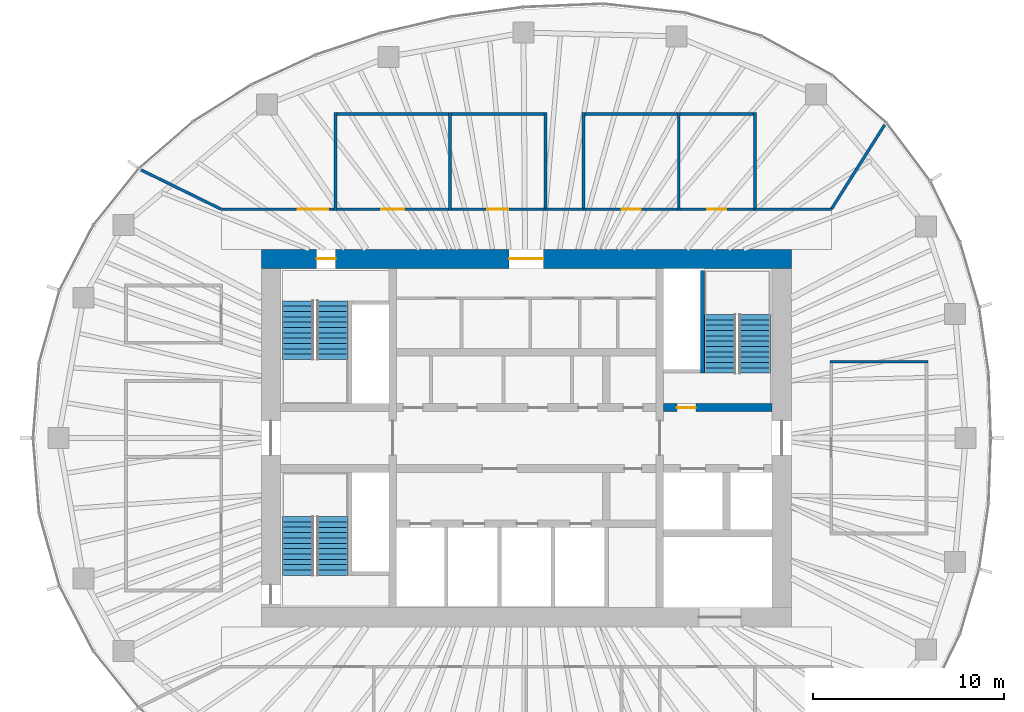
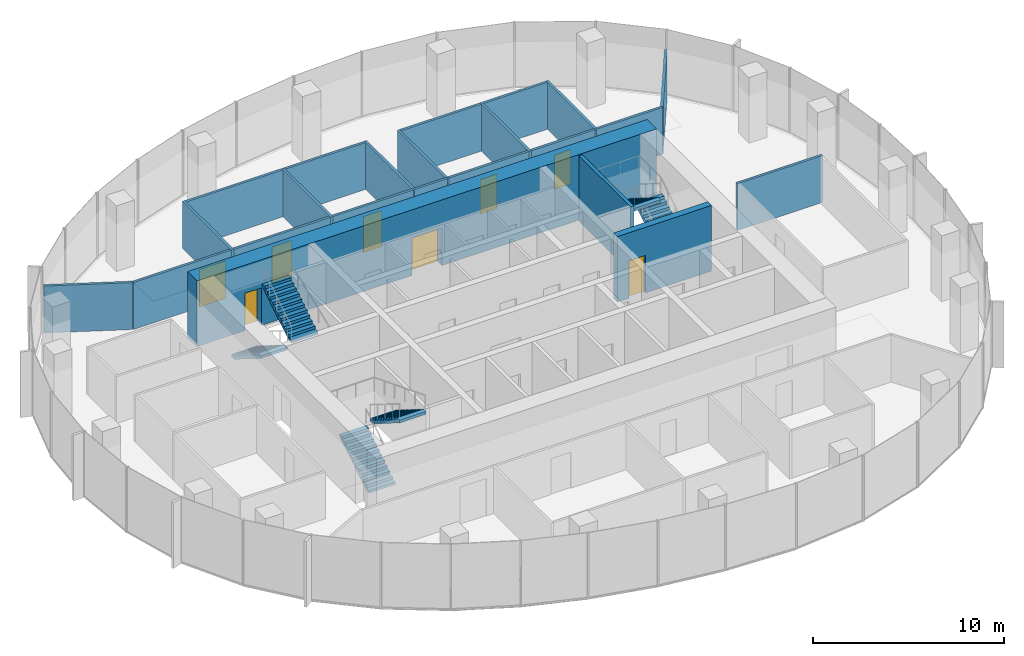
# One storey, part 10 of 11: 23 walls, 8 doors, 6 stair flights, 8 openings, 3 elements without a shape of their own.
"""IFC4 building model written with IfcOpenShell, lengths in metres."""

from ifc_helpers import new_model, si_unit, direction, frame, frame_2d, origin, place, context, subcontext, project, spatial, polyline, rectangle, outline, extrude, material, layer, layer_set, type_object, element, fill, aggregate, save


model = new_model("IFC4")

# Units and contexts
model_context = context("Model", 3, precision=1e-05, world=origin(), true_north=direction((0.0, 1.0)))
body_context = subcontext(model_context, "Body", "Model", "MODEL_VIEW")
ifc_project = project(units=[si_unit("LENGTHUNIT", "METRE"), si_unit("AREAUNIT", "SQUARE_METRE"), si_unit("VOLUMEUNIT", "CUBIC_METRE"), si_unit("PLANEANGLEUNIT", "RADIAN"), si_unit("MASSUNIT", "GRAM", prefix="KILO")], contexts=[model_context])

# Site, building, storey
site_placement = place(None, origin())
site = spatial("IfcSite", under=ifc_project, at=site_placement, CompositionType="ELEMENT")
building_placement = place(site_placement, origin())
building = spatial("IfcBuilding", under=site, at=building_placement, Name="Ghaith Harvest Tower", CompositionType="ELEMENT")
storey_placement = place(building_placement, frame((0.0, 0.0, 279.60009765625)))
storey = spatial("IfcBuildingStorey", under=building, at=storey_placement, Name="L62", CompositionType="ELEMENT", Elevation=279.60009765625)

# Wall, openings, doors
ifc_material_1 = material(Name="Concrete C50/60", Category="concrete")
ifc_layer_1 = layer(ifc_material_1, 1.0)
ifc_layer_set_1 = layer_set([ifc_layer_1], Name="CORE WALL CW1000")
wall_type_1 = type_object("IfcWallType", Name="CORE WALL CW1000", PredefinedType="SHEAR", material=ifc_layer_set_1)
wall_1_placement = place(storey_placement, frame((13.89990234375, 9.39990234375, 0.0), z_axis=(0.0, 0.0, 1.0), x_axis=(-1.0, 0.0, 0.0)))
wall_1 = element("IfcWall", 1, at=wall_1_placement, inside=storey, type_object=wall_type_1, Name="Core wall N L62", PredefinedType="SHEAR", context=body_context, shape_type="SweptSolid", body=[
    extrude(rectangle(XDim=27.7998046875, YDim=1.0, at=frame_2d((13.89990234375, 0.0))), origin(), (0.0, 0.0, 1.0), 4.199951171875),
])
opening_1_placement = place(wall_1_placement, frame((23.89990234375, 0.0, 0.0)))
opening_1 = element("IfcOpeningElement", 2, at=opening_1_placement, cuts=wall_1, Name="Opening 62-005", PredefinedType="OPENING", context=body_context, shape_type="SweptSolid", body=[
    extrude(rectangle(XDim=1.0, YDim=2.39990234375, at=frame_2d((0.5, 1.199951171875))), frame((0.0, 0.510009765625, 0.0), z_axis=(0.0, -1.0, 0.0), x_axis=(1.0, 0.0, 0.0)), (0.0, 0.0, 1.0), 1.02001953125),
])
opening_2_placement = place(wall_1_placement, frame((13.0, 0.0, 0.0)))
opening_2 = element("IfcOpeningElement", 3, at=opening_2_placement, cuts=wall_1, Name="Opening 62-020", PredefinedType="OPENING", context=body_context, shape_type="SweptSolid", body=[
    extrude(rectangle(XDim=1.800048828125, YDim=2.39990234375, at=frame_2d((0.89990234375, 1.199951171875))), frame((0.0, 0.510009765625, 0.0), z_axis=(0.0, -1.0, 0.0), x_axis=(1.0, 0.0, 0.0)), (0.0, 0.0, 1.0), 1.02001953125),
])
ifc_material_2 = material(Name="Steel fire door", Category="steel")
door_type_1 = type_object("IfcDoorType", Name="D3 FD90 1000x2400", OperationType="SINGLE_SWING_LEFT", PredefinedType="DOOR", material=ifc_material_2)
door_1_placement = place(opening_1_placement, origin())
door_1 = element("IfcDoor", 4, at=door_1_placement, inside=storey, type_object=door_type_1, Name="Stair ST1 door", OperationType="SINGLE_SWING_RIGHT", OverallHeight=2.39990234375, OverallWidth=1.0, PredefinedType="DOOR", context=body_context, shape_type="SweptSolid", body=[
    extrude(rectangle(XDim=1.0, YDim=2.39990234375, at=frame_2d((0.5, 1.199951171875))), frame((0.0, 0.02490234375, 0.0), z_axis=(0.0, -1.0, 0.0), x_axis=(1.0, 0.0, 0.0)), (0.0, 0.0, 1.0), 0.050048828125),
])
fill(opening_1, door_1)
ifc_material_3 = material(Name="Steel fire door", Category="steel")
door_type_2 = type_object("IfcDoorType", Name="D4 FD90 PAIR 1800x2400", OperationType="DOUBLE_DOOR_SINGLE_SWING", PredefinedType="DOOR", material=ifc_material_3)
door_2_placement = place(opening_2_placement, origin())
door_2 = element("IfcDoor", 5, at=door_2_placement, inside=storey, type_object=door_type_2, Name="Core service corridor doors", OperationType="DOUBLE_DOOR_SINGLE_SWING", OverallHeight=2.39990234375, OverallWidth=1.800048828125, PredefinedType="DOOR", context=body_context, shape_type="SweptSolid", body=[
    extrude(rectangle(XDim=1.800048828125, YDim=2.39990234375, at=frame_2d((0.89990234375, 1.199951171875))), frame((0.0, 0.02490234375, 0.0), z_axis=(0.0, -1.0, 0.0), x_axis=(1.0, 0.0, 0.0)), (0.0, 0.0, 1.0), 0.050048828125),
])
fill(opening_2, door_2)

# Walls
ifc_material_4 = material(Name="Gypsum board on steel studs", Category="steel")
ifc_layer_2 = layer(ifc_material_4, 0.14990234375)
ifc_layer_set_2 = layer_set([ifc_layer_2], Name="PARTITION 150")
wall_type_2 = type_object("IfcWallType", Name="PARTITION 150", PredefinedType="PARTITIONING", material=ifc_layer_set_2)
for number, where, z_axis, x_axis, name in (
    (6, (-10.0, 11.925048828125, 0.0), (0.0, 0.0, 1.0), (0.0, 1.0, 0.0), "Partition L62 row N4 cross wall 1"),
    (7, (-4.0, 11.925048828125, 0.0), (0.0, 0.0, 1.0), (0.0, 1.0, 0.0), "Partition L62 row N4 cross wall 2"),
    (8, (1.0, 11.925048828125, 0.0), (0.0, 0.0, 1.0), (0.0, 1.0, 0.0), "Partition L62 row N4 cross wall 3"),
):
    element("IfcWall", number, at=place(storey_placement, frame(where, z_axis=z_axis, x_axis=x_axis)), inside=storey, type_object=wall_type_2, Name=name, PredefinedType="PARTITIONING", context=body_context, shape_type="SweptSolid", body=[
        extrude(rectangle(XDim=5.14990234375, YDim=0.14990234375, at=frame_2d((2.574951171875, 0.0))), origin(), (0.0, 0.0, 1.0), 3.0),
    ])

# Wall, opening, door
wall_2_placement = place(storey_placement, frame((-9.925048828125, 12.0, 0.0), z_axis=(0.0, 0.0, 1.0), x_axis=(1.0, 0.0, 0.0)))
wall_2 = element("IfcWall", 9, at=wall_2_placement, inside=storey, type_object=wall_type_2, Name="Partition L62-06", PredefinedType="PARTITIONING", context=body_context, shape_type="SweptSolid", body=[
    extrude(rectangle(XDim=5.85009765625, YDim=0.14990234375, at=frame_2d((2.925048828125, 0.0))), origin(), (0.0, 0.0, 1.0), 3.0),
])
opening_3_placement = place(wall_2_placement, frame((2.324951171875, 0.0, 0.0)))
opening_3 = element("IfcOpeningElement", 10, at=opening_3_placement, cuts=wall_2, Name="Opening 62-033", PredefinedType="OPENING", context=body_context, shape_type="SweptSolid", body=[
    extrude(rectangle(XDim=1.199951171875, YDim=2.300048828125, at=frame_2d((0.60009765625, 1.14990234375))), frame((0.0, 0.0849609375, 0.0), z_axis=(0.0, -1.0, 0.0), x_axis=(1.0, 0.0, 0.0)), (0.0, 0.0, 1.0), 0.169921875),
])
ifc_material_5 = material(Name="Timber door with vision panel", Category="wood")
door_type_3 = type_object("IfcDoorType", Name="D15 LABORATORY 1200x2300", OperationType="SINGLE_SWING_LEFT", PredefinedType="DOOR", material=ifc_material_5)
door_3_placement = place(opening_3_placement, origin())
door_3 = element("IfcDoor", 11, at=door_3_placement, inside=storey, type_object=door_type_3, Name="Genetics laboratory door", OperationType="SINGLE_SWING_LEFT", OverallHeight=2.300048828125, OverallWidth=1.199951171875, PredefinedType="DOOR", context=body_context, shape_type="SweptSolid", body=[
    extrude(rectangle(XDim=1.199951171875, YDim=2.300048828125, at=frame_2d((0.60009765625, 1.14990234375))), frame((0.0, 0.02490234375, 0.0), z_axis=(0.0, -1.0, 0.0), x_axis=(1.0, 0.0, 0.0)), (0.0, 0.0, 1.0), 0.050048828125),
])
fill(opening_3, door_3)

# Wall
wall_3_placement = place(storey_placement, frame((-9.925048828125, 17.0, 0.0), z_axis=(0.0, 0.0, 1.0), x_axis=(1.0, 0.0, 0.0)))
element("IfcWall", 12, at=wall_3_placement, inside=storey, type_object=wall_type_2, Name="Partition L62-06", PredefinedType="PARTITIONING", context=body_context, shape_type="SweptSolid", body=[
    extrude(rectangle(XDim=5.85009765625, YDim=0.14990234375, at=frame_2d((2.925048828125, 0.0))), origin(), (0.0, 0.0, 1.0), 3.0),
])

# Wall, opening, door
wall_4_placement = place(storey_placement, frame((-3.925048828125, 12.0, 0.0), z_axis=(0.0, 0.0, 1.0), x_axis=(1.0, 0.0, 0.0)))
wall_4 = element("IfcWall", 13, at=wall_4_placement, inside=storey, type_object=wall_type_2, Name="Partition L62-07", PredefinedType="PARTITIONING", context=body_context, shape_type="SweptSolid", body=[
    extrude(rectangle(XDim=4.85009765625, YDim=0.14990234375, at=frame_2d((2.425048828125, 0.0))), origin(), (0.0, 0.0, 1.0), 3.0),
])
opening_4_placement = place(wall_4_placement, frame((1.875, 0.0, 0.0)))
opening_4 = element("IfcOpeningElement", 14, at=opening_4_placement, cuts=wall_4, Name="Opening 62-034", PredefinedType="OPENING", context=body_context, shape_type="SweptSolid", body=[
    extrude(rectangle(XDim=1.10009765625, YDim=2.300048828125, at=frame_2d((0.550048828125, 1.14990234375))), frame((0.0, 0.0849609375, 0.0), z_axis=(0.0, -1.0, 0.0), x_axis=(1.0, 0.0, 0.0)), (0.0, 0.0, 1.0), 0.169921875),
])
ifc_material_6 = material(Name="Timber-framed glazed door", Category="wood")
door_type_4 = type_object("IfcDoorType", Name="D12 GLAZED OFFICE 1100x2300", OperationType="SINGLE_SWING_LEFT", PredefinedType="DOOR", material=ifc_material_6)
door_4_placement = place(opening_4_placement, origin())
door_4 = element("IfcDoor", 15, at=door_4_placement, inside=storey, type_object=door_type_4, Name="Crop office door", OperationType="SINGLE_SWING_LEFT", OverallHeight=2.300048828125, OverallWidth=1.10009765625, PredefinedType="DOOR", context=body_context, shape_type="SweptSolid", body=[
    extrude(rectangle(XDim=1.10009765625, YDim=2.300048828125, at=frame_2d((0.550048828125, 1.14990234375))), frame((0.0, 0.02490234375, 0.0), z_axis=(0.0, -1.0, 0.0), x_axis=(1.0, 0.0, 0.0)), (0.0, 0.0, 1.0), 0.050048828125),
])
fill(opening_4, door_4)

# Walls
wall_5_placement = place(storey_placement, frame((-3.925048828125, 17.0, 0.0), z_axis=(0.0, 0.0, 1.0), x_axis=(1.0, 0.0, 0.0)))
element("IfcWall", 16, at=wall_5_placement, inside=storey, type_object=wall_type_2, Name="Partition L62-07", PredefinedType="PARTITIONING", context=body_context, shape_type="SweptSolid", body=[
    extrude(rectangle(XDim=4.85009765625, YDim=0.14990234375, at=frame_2d((2.425048828125, 0.0))), origin(), (0.0, 0.0, 1.0), 3.0),
])
for number, where, z_axis, x_axis, name in (
    (17, (3.0, 11.925048828125, 0.0), (0.0, 0.0, 1.0), (0.0, 1.0, 0.0), "Partition L62 row N5 cross wall 1"),
    (18, (8.0, 11.925048828125, 0.0), (0.0, 0.0, 1.0), (0.0, 1.0, 0.0), "Partition L62 row N5 cross wall 2"),
    (19, (12.0, 11.925048828125, 0.0), (0.0, 0.0, 1.0), (0.0, 1.0, 0.0), "Partition L62 row N5 cross wall 3"),
):
    element("IfcWall", number, at=place(storey_placement, frame(where, z_axis=z_axis, x_axis=x_axis)), inside=storey, type_object=wall_type_2, Name=name, PredefinedType="PARTITIONING", context=body_context, shape_type="SweptSolid", body=[
        extrude(rectangle(XDim=5.14990234375, YDim=0.14990234375, at=frame_2d((2.574951171875, 0.0))), origin(), (0.0, 0.0, 1.0), 3.0),
    ])

# Wall, opening, door
wall_6_placement = place(storey_placement, frame((3.074951171875, 12.0, 0.0), z_axis=(0.0, 0.0, 1.0), x_axis=(1.0, 0.0, 0.0)))
wall_6 = element("IfcWall", 20, at=wall_6_placement, inside=storey, type_object=wall_type_2, Name="Partition L62-08", PredefinedType="PARTITIONING", context=body_context, shape_type="SweptSolid", body=[
    extrude(rectangle(XDim=4.85009765625, YDim=0.14990234375, at=frame_2d((2.425048828125, 0.0))), origin(), (0.0, 0.0, 1.0), 3.0),
])
opening_5_placement = place(wall_6_placement, frame((1.925048828125, 0.0, 0.0)))
opening_5 = element("IfcOpeningElement", 21, at=opening_5_placement, cuts=wall_6, Name="Opening 62-035", PredefinedType="OPENING", context=body_context, shape_type="SweptSolid", body=[
    extrude(rectangle(XDim=1.0, YDim=2.199951171875, at=frame_2d((0.5, 1.10009765625))), frame((0.0, 0.0849609375, 0.0), z_axis=(0.0, -1.0, 0.0), x_axis=(1.0, 0.0, 0.0)), (0.0, 0.0, 1.0), 0.169921875),
])
ifc_material_7 = material(Name="Timber door", Category="wood")
door_type_5 = type_object("IfcDoorType", Name="D1 SINGLE 1000x2200", OperationType="SINGLE_SWING_LEFT", PredefinedType="DOOR", material=ifc_material_7)
door_5_placement = place(opening_5_placement, origin())
door_5 = element("IfcDoor", 22, at=door_5_placement, inside=storey, type_object=door_type_5, Name="Staff room door", OperationType="SINGLE_SWING_LEFT", OverallHeight=2.199951171875, OverallWidth=1.0, PredefinedType="DOOR", context=body_context, shape_type="SweptSolid", body=[
    extrude(rectangle(XDim=1.0, YDim=2.199951171875, at=frame_2d((0.5, 1.10009765625))), frame((0.0, 0.02490234375, 0.0), z_axis=(0.0, -1.0, 0.0), x_axis=(1.0, 0.0, 0.0)), (0.0, 0.0, 1.0), 0.050048828125),
])
fill(opening_5, door_5)

# Wall
wall_7_placement = place(storey_placement, frame((3.074951171875, 17.0, 0.0), z_axis=(0.0, 0.0, 1.0), x_axis=(1.0, 0.0, 0.0)))
element("IfcWall", 23, at=wall_7_placement, inside=storey, type_object=wall_type_2, Name="Partition L62-08", PredefinedType="PARTITIONING", context=body_context, shape_type="SweptSolid", body=[
    extrude(rectangle(XDim=4.85009765625, YDim=0.14990234375, at=frame_2d((2.425048828125, 0.0))), origin(), (0.0, 0.0, 1.0), 3.0),
])

# Wall, opening, door
wall_8_placement = place(storey_placement, frame((8.074951171875, 12.0, 0.0), z_axis=(0.0, 0.0, 1.0), x_axis=(1.0, 0.0, 0.0)))
wall_8 = element("IfcWall", 24, at=wall_8_placement, inside=storey, type_object=wall_type_2, Name="Partition L62-09", PredefinedType="PARTITIONING", context=body_context, shape_type="SweptSolid", body=[
    extrude(rectangle(XDim=3.85009765625, YDim=0.14990234375, at=frame_2d((1.925048828125, 0.0))), origin(), (0.0, 0.0, 1.0), 3.0),
])
opening_6_placement = place(wall_8_placement, frame((1.425048828125, 0.0, 0.0)))
opening_6 = element("IfcOpeningElement", 25, at=opening_6_placement, cuts=wall_8, Name="Opening 62-036", PredefinedType="OPENING", context=body_context, shape_type="SweptSolid", body=[
    extrude(rectangle(XDim=1.0, YDim=2.199951171875, at=frame_2d((0.5, 1.10009765625))), frame((0.0, 0.0849609375, 0.0), z_axis=(0.0, -1.0, 0.0), x_axis=(1.0, 0.0, 0.0)), (0.0, 0.0, 1.0), 0.169921875),
])
door_6_placement = place(opening_6_placement, origin())
door_6 = element("IfcDoor", 26, at=door_6_placement, inside=storey, type_object=door_type_5, Name="Store door", OperationType="SINGLE_SWING_LEFT", OverallHeight=2.199951171875, OverallWidth=1.0, PredefinedType="DOOR", context=body_context, shape_type="SweptSolid", body=[
    extrude(rectangle(XDim=1.0, YDim=2.199951171875, at=frame_2d((0.5, 1.10009765625))), frame((0.0, 0.02490234375, 0.0), z_axis=(0.0, -1.0, 0.0), x_axis=(1.0, 0.0, 0.0)), (0.0, 0.0, 1.0), 0.050048828125),
])
fill(opening_6, door_6)

# Walls
wall_9_placement = place(storey_placement, frame((8.074951171875, 17.0, 0.0), z_axis=(0.0, 0.0, 1.0), x_axis=(1.0, 0.0, 0.0)))
element("IfcWall", 27, at=wall_9_placement, inside=storey, type_object=wall_type_2, Name="Partition L62-09", PredefinedType="PARTITIONING", context=body_context, shape_type="SweptSolid", body=[
    extrude(rectangle(XDim=3.85009765625, YDim=0.14990234375, at=frame_2d((1.925048828125, 0.0))), origin(), (0.0, 0.0, 1.0), 3.0),
])
wall_10_placement = place(storey_placement, frame((15.925048828125, 4.0, 0.0), z_axis=(0.0, 0.0, 1.0), x_axis=(1.0, 0.0, 0.0)))
element("IfcWall", 28, at=wall_10_placement, inside=storey, type_object=wall_type_2, Name="Partition L62 row E6 cross wall 2", PredefinedType="PARTITIONING", context=body_context, shape_type="SweptSolid", body=[
    extrude(rectangle(XDim=5.14990234375, YDim=0.14990234375, at=frame_2d((2.574951171875, 0.0))), origin(), (0.0, 0.0, 1.0), 3.0),
])
wall_11_placement = place(storey_placement, frame((-16.017822265625, 12.0087890625, 0.0), z_axis=(0.0, 0.0, 1.0), x_axis=(-0.897771840996, 0.440460805879, 0.0)))
element("IfcWall", 29, at=wall_11_placement, inside=storey, type_object=wall_type_2, Name="Partition L62 zone division", PredefinedType="PARTITIONING", context=body_context, shape_type="SweptSolid", body=[
    extrude(rectangle(XDim=4.66552734375, YDim=0.14990234375, at=frame_2d((2.332763671875, 0.0))), origin(), (0.0, 0.0, 1.0), 3.0),
])
wall_12_placement = place(storey_placement, frame((16.0107421875, 12.016845703125, 0.0), z_axis=(0.0, 0.0, 1.0), x_axis=(0.53415837449, 0.845384427916, 0.0)))
element("IfcWall", 30, at=wall_12_placement, inside=storey, type_object=wall_type_2, Name="Partition L62 zone division", PredefinedType="PARTITIONING", context=body_context, shape_type="SweptSolid", body=[
    extrude(rectangle(XDim=5.220458984375, YDim=0.14990234375, at=frame_2d((2.6103515625, 0.0))), origin(), (0.0, 0.0, 1.0), 3.0),
])

# Wall, opening, door
wall_13_placement = place(storey_placement, frame((-10.0, 12.0, 0.0), z_axis=(0.0, 0.0, 1.0), x_axis=(-1.0, 0.0, 0.0)))
wall_13 = element("IfcWall", 31, at=wall_13_placement, inside=storey, type_object=wall_type_2, Name="Partition L62 zone enclosure", PredefinedType="PARTITIONING", context=body_context, shape_type="SweptSolid", body=[
    extrude(rectangle(XDim=6.0, YDim=0.14990234375, at=frame_2d((3.0, 0.0))), origin(), (0.0, 0.0, 1.0), 3.0),
])
opening_7_placement = place(wall_13_placement, frame((0.39990234375, 0.0, 0.0)))
opening_7 = element("IfcOpeningElement", 32, at=opening_7_placement, cuts=wall_13, Name="Opening 62-039", PredefinedType="OPENING", context=body_context, shape_type="SweptSolid", body=[
    extrude(rectangle(XDim=1.60009765625, YDim=2.39990234375, at=frame_2d((0.800048828125, 1.199951171875))), frame((0.0, 0.0849609375, 0.0), z_axis=(0.0, -1.0, 0.0), x_axis=(1.0, 0.0, 0.0)), (0.0, 0.0, 1.0), 0.169921875),
])
ifc_material_8 = material(Name="Timber door", Category="wood")
door_type_6 = type_object("IfcDoorType", Name="D2 PAIR 1600x2400", OperationType="DOUBLE_DOOR_SINGLE_SWING", PredefinedType="DOOR", material=ifc_material_8)
door_7_placement = place(opening_7_placement, origin())
door_7 = element("IfcDoor", 33, at=door_7_placement, inside=storey, type_object=door_type_6, Name="Breeding growing area north door", OperationType="DOUBLE_DOOR_SINGLE_SWING", OverallHeight=2.39990234375, OverallWidth=1.60009765625, PredefinedType="DOOR", context=body_context, shape_type="SweptSolid", body=[
    extrude(rectangle(XDim=1.60009765625, YDim=2.39990234375, at=frame_2d((0.800048828125, 1.199951171875))), frame((0.0, 0.02490234375, 0.0), z_axis=(0.0, -1.0, 0.0), x_axis=(1.0, 0.0, 0.0)), (0.0, 0.0, 1.0), 0.050048828125),
])
fill(opening_7, door_7)

# Walls
wall_14_placement = place(storey_placement, frame((3.0, 12.0, 0.0), z_axis=(0.0, 0.0, 1.0), x_axis=(-1.0, 0.0, 0.0)))
element("IfcWall", 34, at=wall_14_placement, inside=storey, type_object=wall_type_2, Name="Partition L62 zone enclosure", PredefinedType="PARTITIONING", context=body_context, shape_type="SweptSolid", body=[
    extrude(rectangle(XDim=2.0, YDim=0.14990234375, at=frame_2d((1.0, 0.0))), origin(), (0.0, 0.0, 1.0), 3.0),
])
wall_15_placement = place(storey_placement, frame((16.0, 12.0, 0.0), z_axis=(0.0, 0.0, 1.0), x_axis=(-1.0, 0.0, 0.0)))
element("IfcWall", 35, at=wall_15_placement, inside=storey, type_object=wall_type_2, Name="Partition L62 zone enclosure", PredefinedType="PARTITIONING", context=body_context, shape_type="SweptSolid", body=[
    extrude(rectangle(XDim=4.0, YDim=0.14990234375, at=frame_2d((2.0, 0.0))), origin(), (0.0, 0.0, 1.0), 3.0),
])

# Wall, opening, door
ifc_material_9 = material(Name="Concrete C70/85", Category="concrete")
ifc_layer_3 = layer(ifc_material_9, 0.39990234375)
ifc_layer_set_3 = layer_set([ifc_layer_3], Name="SHAFT WALL 400")
wall_type_3 = type_object("IfcWallType", Name="SHAFT WALL 400", PredefinedType="SHEAR", material=ifc_layer_set_3)
wall_16_placement = place(storey_placement, frame((7.199951171875, 1.60009765625, 0.0), z_axis=(0.0, 0.0, 1.0), x_axis=(1.0, 0.0, 0.0)))
wall_16 = element("IfcWall", 36, at=wall_16_placement, inside=storey, type_object=wall_type_3, Name="Shaft wall EN L62", PredefinedType="SHEAR", context=body_context, shape_type="SweptSolid", body=[
    extrude(rectangle(XDim=5.699951171875, YDim=0.39990234375, at=frame_2d((2.85009765625, 0.0))), origin(), (0.0, 0.0, 1.0), 4.199951171875),
])
opening_8_placement = place(wall_16_placement, frame((0.699951171875, 0.0, 0.0)))
opening_8 = element("IfcOpeningElement", 37, at=opening_8_placement, cuts=wall_16, Name="Opening 62-007", PredefinedType="OPENING", context=body_context, shape_type="SweptSolid", body=[
    extrude(rectangle(XDim=1.0, YDim=2.39990234375, at=frame_2d((0.5, 1.199951171875))), frame((0.0, 0.2099609375, 0.0), z_axis=(0.0, -1.0, 0.0), x_axis=(1.0, 0.0, 0.0)), (0.0, 0.0, 1.0), 0.419921875),
])
door_8_placement = place(opening_8_placement, origin())
door_8 = element("IfcDoor", 38, at=door_8_placement, inside=storey, type_object=door_type_1, Name="Stair ST2 door", OperationType="SINGLE_SWING_LEFT", OverallHeight=2.39990234375, OverallWidth=1.0, PredefinedType="DOOR", context=body_context, shape_type="SweptSolid", body=[
    extrude(rectangle(XDim=1.0, YDim=2.39990234375, at=frame_2d((0.5, 1.199951171875))), frame((0.0, 0.02490234375, 0.0), z_axis=(0.0, -1.0, 0.0), x_axis=(1.0, 0.0, 0.0)), (0.0, 0.0, 1.0), 0.050048828125),
])
fill(opening_8, door_8)

# Wall
ifc_material_10 = material(Name="Concrete C40/50", Category="concrete")
ifc_layer_4 = layer(ifc_material_10, 0.199951171875)
ifc_layer_set_4 = layer_set([ifc_layer_4], Name="STAIR SPINE WALL RC200")
wall_type_4 = type_object("IfcWallType", Name="STAIR SPINE WALL RC200", PredefinedType="SOLIDWALL", material=ifc_layer_set_4)
wall_17_placement = place(storey_placement, frame((9.25, 3.39990234375, 0.0), z_axis=(0.0, 0.0, 1.0), x_axis=(0.0, 1.0, 0.0)))
element("IfcWall", 39, at=wall_17_placement, inside=storey, type_object=wall_type_4, Name="Stair ST2 spine wall L62", PredefinedType="SOLIDWALL", context=body_context, shape_type="SweptSolid", body=[
    extrude(rectangle(XDim=5.400146484375, YDim=0.199951171875, at=frame_2d((2.7001953125, 0.0))), origin(), (0.0, 0.0, 1.0), 4.199951171875),
])

# Stair, stair flights
ifc_material_11 = material(Name="Concrete C40/50, precast", Category="concrete")
stair_type = type_object("IfcStairType", Name="CORE STAIR 24R", PredefinedType="HALF_TURN_STAIR", material=ifc_material_11)
stair_1_placement = place(storey_placement, origin())
stair_1 = element("IfcStair", 40, at=stair_1_placement, inside=storey, type_object=stair_type, Name="Stair ST1 L62", PredefinedType="HALF_TURN_STAIR")
ifc_material_12 = material(Name="Concrete C40/50, precast", Category="concrete")
stair_flight_type = type_object("IfcStairFlightType", Name="CORE FLIGHT 12R 1600", PredefinedType="STRAIGHT", material=ifc_material_12)
stair_flight_1_placement = place(storey_placement, frame((-12.0, 7.199951171875, 0.0), z_axis=(0.0, 0.0, 1.0), x_axis=(0.0, -1.0, 0.0)))
stair_flight_1 = element("IfcStairFlight", 41, at=stair_flight_1_placement, type_object=stair_flight_type, Name="ST1 flight 1", NumberOfRisers=12, NumberOfTreads=11, PredefinedType="STRAIGHT", RiserHeight=0.175, TreadLength=0.28, context=body_context, shape_type="SweptSolid", body=[
    extrude(outline(polyline([(0.0, 0.0), (0.0, 0.175048828125), (0.280029296875, 0.175048828125), (0.280029296875, 0.35009765625), (0.56005859375, 0.35009765625), (0.56005859375, 0.52490234375), (0.840087890625, 0.52490234375), (0.840087890625, 0.699951171875), (1.1201171875, 0.699951171875), (1.1201171875, 0.875), (1.39990234375, 0.875), (1.39990234375, 1.050048828125), (1.679931640625, 1.050048828125), (1.679931640625, 1.22509765625), (1.9599609375, 1.22509765625), (1.9599609375, 1.39990234375), (2.239990234375, 1.39990234375), (2.239990234375, 1.574951171875), (2.52001953125, 1.574951171875), (2.52001953125, 1.75), (2.800048828125, 1.75), (2.800048828125, 1.925048828125), (3.080078125, 1.925048828125), (3.080078125, 2.10009765625), (3.080078125, 1.748291015625), (0.28271484375, 0.0), (0.0, 0.0)])), frame((0.0, 0.800048828125, 0.0), z_axis=(0.0, -1.0, 0.0), x_axis=(1.0, 0.0, 0.0)), (0.0, 0.0, 1.0), 1.60009765625),
])
stair_flight_2_placement = place(storey_placement, frame((-10.14990234375, 4.1201171875, 2.099853515625), z_axis=(0.0, 0.0, 1.0), x_axis=(0.0, 1.0, 0.0)))
stair_flight_2 = element("IfcStairFlight", 42, at=stair_flight_2_placement, type_object=stair_flight_type, Name="ST1 flight 2", NumberOfRisers=12, NumberOfTreads=11, PredefinedType="STRAIGHT", RiserHeight=0.175, TreadLength=0.28, context=body_context, shape_type="SweptSolid", body=[
    extrude(outline(polyline([(0.0, 0.0), (0.0, 0.175048828125), (0.280029296875, 0.175048828125), (0.280029296875, 0.35009765625), (0.56005859375, 0.35009765625), (0.56005859375, 0.52490234375), (0.840087890625, 0.52490234375), (0.840087890625, 0.699951171875), (1.1201171875, 0.699951171875), (1.1201171875, 0.875), (1.39990234375, 0.875), (1.39990234375, 1.050048828125), (1.679931640625, 1.050048828125), (1.679931640625, 1.22509765625), (1.9599609375, 1.22509765625), (1.9599609375, 1.39990234375), (2.239990234375, 1.39990234375), (2.239990234375, 1.574951171875), (2.52001953125, 1.574951171875), (2.52001953125, 1.75), (2.800048828125, 1.75), (2.800048828125, 1.925048828125), (3.080078125, 1.925048828125), (3.080078125, 2.10009765625), (3.080078125, 1.748291015625), (0.28271484375, 0.0), (0.0, 0.0)])), frame((0.0, 0.800048828125, 0.0), z_axis=(0.0, -1.0, 0.0), x_axis=(1.0, 0.0, 0.0)), (0.0, 0.0, 1.0), 1.60009765625),
])
aggregate(stair_1, [stair_flight_1, stair_flight_2])

stair_2_placement = place(storey_placement, origin())
stair_2 = element("IfcStair", 43, at=stair_2_placement, inside=storey, type_object=stair_type, Name="Stair ST3 L62", PredefinedType="HALF_TURN_STAIR")
stair_flight_3_placement = place(storey_placement, frame((-12.0, -7.199951171875, 0.0), z_axis=(0.0, 0.0, 1.0), x_axis=(0.0, 1.0, 0.0)))
stair_flight_3 = element("IfcStairFlight", 44, at=stair_flight_3_placement, type_object=stair_flight_type, Name="ST3 flight 1", NumberOfRisers=12, NumberOfTreads=11, PredefinedType="STRAIGHT", RiserHeight=0.175, TreadLength=0.28, context=body_context, shape_type="SweptSolid", body=[
    extrude(outline(polyline([(0.0, 0.0), (0.0, 0.175048828125), (0.280029296875, 0.175048828125), (0.280029296875, 0.35009765625), (0.56005859375, 0.35009765625), (0.56005859375, 0.52490234375), (0.840087890625, 0.52490234375), (0.840087890625, 0.699951171875), (1.1201171875, 0.699951171875), (1.1201171875, 0.875), (1.39990234375, 0.875), (1.39990234375, 1.050048828125), (1.679931640625, 1.050048828125), (1.679931640625, 1.22509765625), (1.9599609375, 1.22509765625), (1.9599609375, 1.39990234375), (2.239990234375, 1.39990234375), (2.239990234375, 1.574951171875), (2.52001953125, 1.574951171875), (2.52001953125, 1.75), (2.800048828125, 1.75), (2.800048828125, 1.925048828125), (3.080078125, 1.925048828125), (3.080078125, 2.10009765625), (3.080078125, 1.748291015625), (0.28271484375, 0.0), (0.0, 0.0)])), frame((0.0, 0.800048828125, 0.0), z_axis=(0.0, -1.0, 0.0), x_axis=(1.0, 0.0, 0.0)), (0.0, 0.0, 1.0), 1.60009765625),
])
stair_flight_4_placement = place(storey_placement, frame((-10.14990234375, -4.1201171875, 2.099853515625), z_axis=(0.0, 0.0, 1.0), x_axis=(0.0, -1.0, 0.0)))
stair_flight_4 = element("IfcStairFlight", 45, at=stair_flight_4_placement, type_object=stair_flight_type, Name="ST3 flight 2", NumberOfRisers=12, NumberOfTreads=11, PredefinedType="STRAIGHT", RiserHeight=0.175, TreadLength=0.28, context=body_context, shape_type="SweptSolid", body=[
    extrude(outline(polyline([(0.0, 0.0), (0.0, 0.175048828125), (0.280029296875, 0.175048828125), (0.280029296875, 0.35009765625), (0.56005859375, 0.35009765625), (0.56005859375, 0.52490234375), (0.840087890625, 0.52490234375), (0.840087890625, 0.699951171875), (1.1201171875, 0.699951171875), (1.1201171875, 0.875), (1.39990234375, 0.875), (1.39990234375, 1.050048828125), (1.679931640625, 1.050048828125), (1.679931640625, 1.22509765625), (1.9599609375, 1.22509765625), (1.9599609375, 1.39990234375), (2.239990234375, 1.39990234375), (2.239990234375, 1.574951171875), (2.52001953125, 1.574951171875), (2.52001953125, 1.75), (2.800048828125, 1.75), (2.800048828125, 1.925048828125), (3.080078125, 1.925048828125), (3.080078125, 2.10009765625), (3.080078125, 1.748291015625), (0.28271484375, 0.0), (0.0, 0.0)])), frame((0.0, 0.800048828125, 0.0), z_axis=(0.0, -1.0, 0.0), x_axis=(1.0, 0.0, 0.0)), (0.0, 0.0, 1.0), 1.60009765625),
])
aggregate(stair_2, [stair_flight_3, stair_flight_4])

stair_3_placement = place(storey_placement, origin())
stair_3 = element("IfcStair", 46, at=stair_3_placement, inside=storey, type_object=stair_type, Name="Stair ST2 L62", PredefinedType="HALF_TURN_STAIR")
stair_flight_5_placement = place(storey_placement, frame((12.0, 3.39990234375, 0.0), z_axis=(0.0, 0.0, 1.0), x_axis=(0.0, 1.0, 0.0)))
stair_flight_5 = element("IfcStairFlight", 47, at=stair_flight_5_placement, type_object=stair_flight_type, Name="ST2 flight 1", NumberOfRisers=12, NumberOfTreads=11, PredefinedType="STRAIGHT", RiserHeight=0.175, TreadLength=0.28, context=body_context, shape_type="SweptSolid", body=[
    extrude(outline(polyline([(0.0, 0.0), (0.0, 0.175048828125), (0.280029296875, 0.175048828125), (0.280029296875, 0.35009765625), (0.56005859375, 0.35009765625), (0.56005859375, 0.52490234375), (0.840087890625, 0.52490234375), (0.840087890625, 0.699951171875), (1.1201171875, 0.699951171875), (1.1201171875, 0.875), (1.39990234375, 0.875), (1.39990234375, 1.050048828125), (1.679931640625, 1.050048828125), (1.679931640625, 1.22509765625), (1.9599609375, 1.22509765625), (1.9599609375, 1.39990234375), (2.239990234375, 1.39990234375), (2.239990234375, 1.574951171875), (2.52001953125, 1.574951171875), (2.52001953125, 1.75), (2.800048828125, 1.75), (2.800048828125, 1.925048828125), (3.080078125, 1.925048828125), (3.080078125, 2.10009765625), (3.080078125, 1.748291015625), (0.28271484375, 0.0), (0.0, 0.0)])), frame((0.0, 0.800048828125, 0.0), z_axis=(0.0, -1.0, 0.0), x_axis=(1.0, 0.0, 0.0)), (0.0, 0.0, 1.0), 1.60009765625),
])
stair_flight_6_placement = place(storey_placement, frame((10.14990234375, 6.47998046875, 2.099853515625), z_axis=(0.0, 0.0, 1.0), x_axis=(0.0, -1.0, 0.0)))
stair_flight_6 = element("IfcStairFlight", 48, at=stair_flight_6_placement, type_object=stair_flight_type, Name="ST2 flight 2", NumberOfRisers=12, NumberOfTreads=11, PredefinedType="STRAIGHT", RiserHeight=0.175, TreadLength=0.28, context=body_context, shape_type="SweptSolid", body=[
    extrude(outline(polyline([(0.0, 0.0), (0.0, 0.175048828125), (0.280029296875, 0.175048828125), (0.280029296875, 0.35009765625), (0.56005859375, 0.35009765625), (0.56005859375, 0.52490234375), (0.840087890625, 0.52490234375), (0.840087890625, 0.699951171875), (1.1201171875, 0.699951171875), (1.1201171875, 0.875), (1.39990234375, 0.875), (1.39990234375, 1.050048828125), (1.679931640625, 1.050048828125), (1.679931640625, 1.22509765625), (1.9599609375, 1.22509765625), (1.9599609375, 1.39990234375), (2.239990234375, 1.39990234375), (2.239990234375, 1.574951171875), (2.52001953125, 1.574951171875), (2.52001953125, 1.75), (2.800048828125, 1.75), (2.800048828125, 1.925048828125), (3.080078125, 1.925048828125), (3.080078125, 2.10009765625), (3.080078125, 1.748291015625), (0.28271484375, 0.0), (0.0, 0.0)])), frame((0.0, 0.800048828125, 0.0), z_axis=(0.0, -1.0, 0.0), x_axis=(1.0, 0.0, 0.0)), (0.0, 0.0, 1.0), 1.60009765625),
])
aggregate(stair_3, [stair_flight_5, stair_flight_6])

save(model, "model.ifc")
